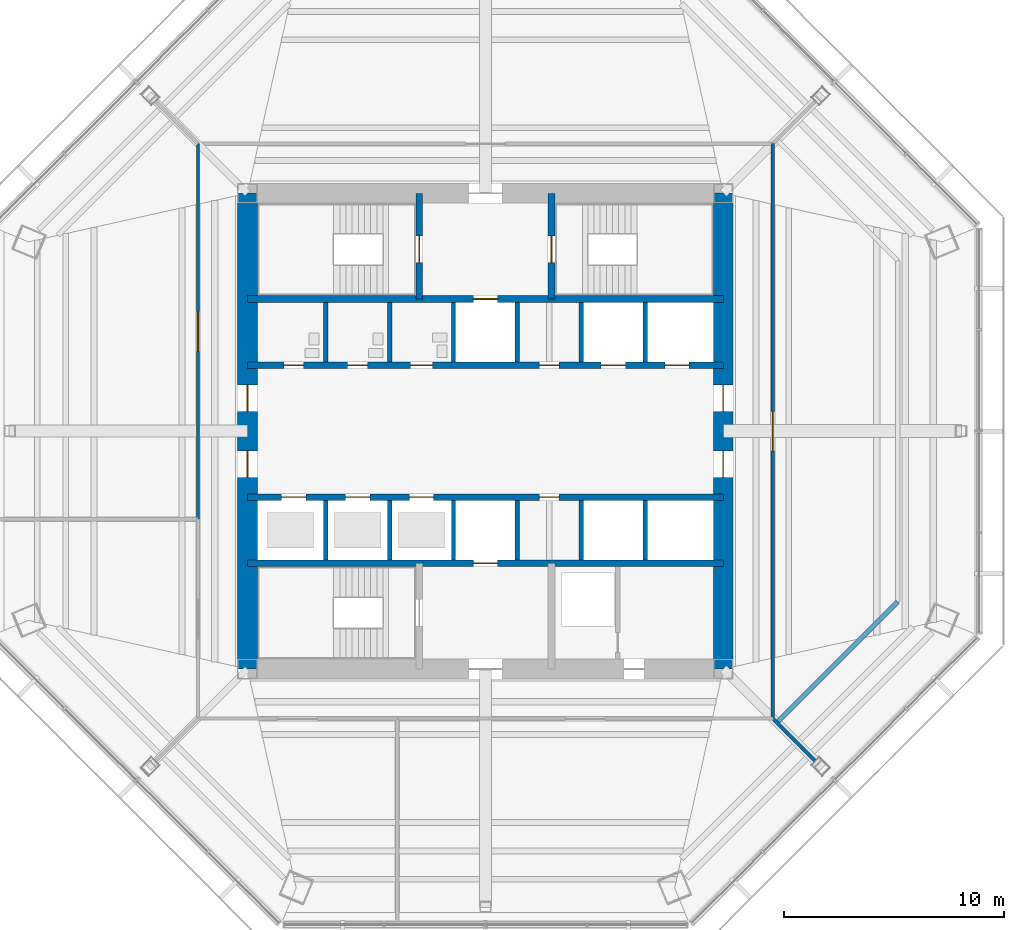
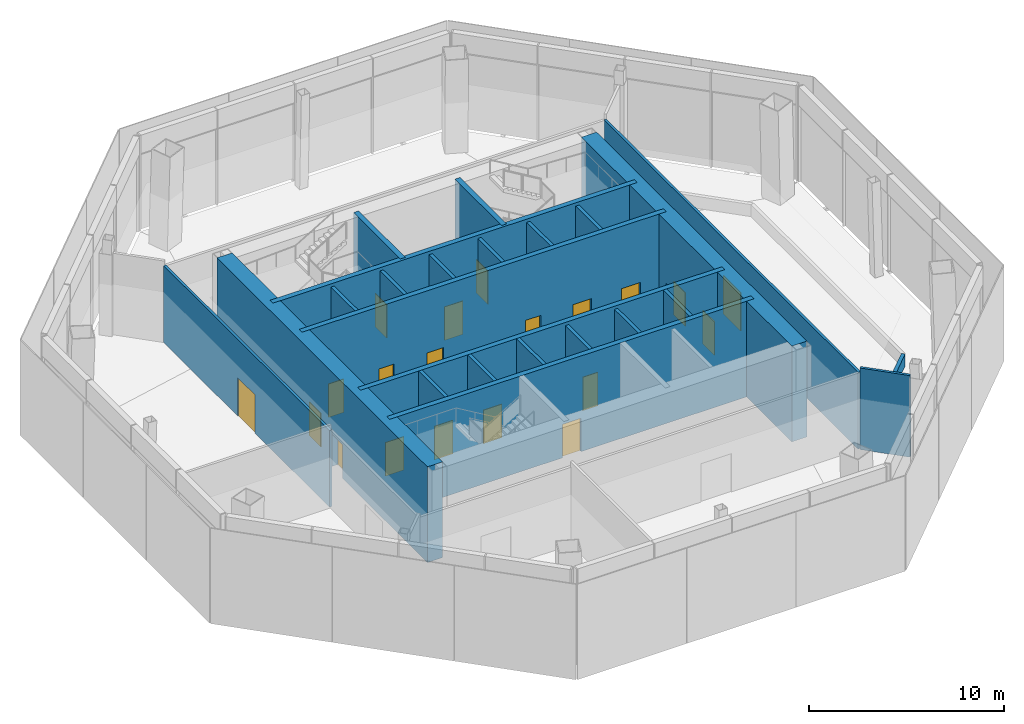
# One storey, part 7 of 13: 24 walls, 20 doors, 20 openings.
"""IFC4 building model written with IfcOpenShell, lengths in metres."""

from ifc_helpers import new_model, si_unit, direction, frame, frame_2d, origin, place, context, subcontext, project, spatial, rectangle, extrude, material, layer, layer_set, type_object, element, fill, save


model = new_model("IFC4")

# Units and contexts
model_context = context("Model", 3, precision=1e-05, world=origin(), true_north=direction((0.0, 1.0)))
body_context = subcontext(model_context, "Body", "Model", "MODEL_VIEW")
ifc_project = project(units=[si_unit("LENGTHUNIT", "METRE"), si_unit("AREAUNIT", "SQUARE_METRE"), si_unit("VOLUMEUNIT", "CUBIC_METRE"), si_unit("PLANEANGLEUNIT", "RADIAN"), si_unit("MASSUNIT", "GRAM", prefix="KILO")], contexts=[model_context])

# Site, building, storey
site_placement = place(None, origin())
site = spatial("IfcSite", under=ifc_project, at=site_placement, CompositionType="ELEMENT")
building_placement = place(site_placement, origin())
building = spatial("IfcBuilding", under=site, at=building_placement, Name="Mashrafa Tower", CompositionType="ELEMENT")
storey_placement = place(building_placement, frame((0.0, 0.0, 198.0)))
storey = spatial("IfcBuildingStorey", under=building, at=storey_placement, Name="L45", CompositionType="ELEMENT", Elevation=198.0)

# Wall, openings, doors
ifc_material_1 = material(Name="Concrete C50/60", Category="concrete")
ifc_layer_1 = layer(ifc_material_1, 0.300048828125)
ifc_layer_set_1 = layer_set([ifc_layer_1], Name="Core wall 300 C50/60")
wall_type_1 = type_object("IfcWallType", Name="Core wall 300 C50/60", PredefinedType="SOLIDWALL", material=ifc_layer_set_1)
wall_1_placement = place(storey_placement, frame((-10.800048828125, 3.0, 0.0), z_axis=(0.0, 0.0, 1.0), x_axis=(1.0, 0.0, 0.0)))
wall_1 = element("IfcWall", 1, at=wall_1_placement, inside=storey, type_object=wall_type_1, Name="Core wall CH-N L45", PredefinedType="SOLIDWALL", context=body_context, shape_type="SweptSolid", body=[
    extrude(rectangle(XDim=21.60009765625, YDim=0.300048828125, at=frame_2d((10.800048828125, 0.0))), origin(), (0.0, 0.0, 1.0), 6.0),
])
opening_1_placement = place(wall_1_placement, frame((1.64990234375, 0.0, 0.0)))
opening_1 = element("IfcOpeningElement", 2, at=opening_1_placement, cuts=wall_1, Name="Opening 45.018", PredefinedType="OPENING", context=body_context, shape_type="SweptSolid", body=[
    extrude(rectangle(XDim=0.89990234375, YDim=2.10009765625, at=frame_2d((0.449951171875, 1.050048828125))), frame((0.0, 0.159912109375, 0.0), z_axis=(0.0, -1.0, 0.0), x_axis=(1.0, 0.0, 0.0)), (0.0, 0.0, 1.0), 0.320068359375),
])
opening_2_placement = place(wall_1_placement, frame((4.550048828125, 0.0, 0.0)))
opening_2 = element("IfcOpeningElement", 3, at=opening_2_placement, cuts=wall_1, Name="Opening 45.019", PredefinedType="OPENING", context=body_context, shape_type="SweptSolid", body=[
    extrude(rectangle(XDim=0.89990234375, YDim=2.10009765625, at=frame_2d((0.449951171875, 1.050048828125))), frame((0.0, 0.159912109375, 0.0), z_axis=(0.0, -1.0, 0.0), x_axis=(1.0, 0.0, 0.0)), (0.0, 0.0, 1.0), 0.320068359375),
])
opening_3_placement = place(wall_1_placement, frame((7.39990234375, 0.0, 0.0)))
opening_3 = element("IfcOpeningElement", 4, at=opening_3_placement, cuts=wall_1, Name="Opening 45.020", PredefinedType="OPENING", context=body_context, shape_type="SweptSolid", body=[
    extrude(rectangle(XDim=1.0, YDim=2.10009765625, at=frame_2d((0.5, 1.050048828125))), frame((0.0, 0.159912109375, 0.0), z_axis=(0.0, -1.0, 0.0), x_axis=(1.0, 0.0, 0.0)), (0.0, 0.0, 1.0), 0.320068359375),
])
opening_4_placement = place(wall_1_placement, frame((13.25, 0.0, 0.0)))
opening_4 = element("IfcOpeningElement", 5, at=opening_4_placement, cuts=wall_1, Name="Opening 45.021", PredefinedType="OPENING", context=body_context, shape_type="SweptSolid", body=[
    extrude(rectangle(XDim=0.89990234375, YDim=2.10009765625, at=frame_2d((0.449951171875, 1.050048828125))), frame((0.0, 0.159912109375, 0.0), z_axis=(0.0, -1.0, 0.0), x_axis=(1.0, 0.0, 0.0)), (0.0, 0.0, 1.0), 0.320068359375),
])
opening_5_placement = place(wall_1_placement, frame((16.050048828125, 0.0, 0.0)))
opening_5 = element("IfcOpeningElement", 6, at=opening_5_placement, cuts=wall_1, Name="Opening 45.K1", PredefinedType="OPENING", context=body_context, shape_type="SweptSolid", body=[
    extrude(rectangle(XDim=1.10009765625, YDim=2.10009765625, at=frame_2d((0.550048828125, 1.050048828125))), frame((0.0, 0.159912109375, 0.0), z_axis=(0.0, -1.0, 0.0), x_axis=(1.0, 0.0, 0.0)), (0.0, 0.0, 1.0), 0.320068359375),
])
opening_6_placement = place(wall_1_placement, frame((18.949951171875, 0.0, 0.0)))
opening_6 = element("IfcOpeningElement", 7, at=opening_6_placement, cuts=wall_1, Name="Opening 45.K2", PredefinedType="OPENING", context=body_context, shape_type="SweptSolid", body=[
    extrude(rectangle(XDim=1.10009765625, YDim=2.10009765625, at=frame_2d((0.550048828125, 1.050048828125))), frame((0.0, 0.159912109375, 0.0), z_axis=(0.0, -1.0, 0.0), x_axis=(1.0, 0.0, 0.0)), (0.0, 0.0, 1.0), 0.320068359375),
])
ifc_material_2 = material(Name="Timber door", Category="wood")
door_type_1 = type_object("IfcDoorType", Name="Accessible toilet door 1000 x 2100", OperationType="USERDEFINED", PredefinedType="DOOR", material=ifc_material_2)
door_1_placement = place(opening_3_placement, origin())
door_1 = element("IfcDoor", 8, at=door_1_placement, inside=storey, type_object=door_type_1, Name="Accessible WC L45 door", OperationType="SINGLE_SWING_LEFT", OverallHeight=2.10009765625, OverallWidth=1.0, PredefinedType="DOOR", context=body_context, shape_type="SweptSolid", body=[
    extrude(rectangle(XDim=1.0, YDim=2.10009765625, at=frame_2d((0.5, 1.050048828125))), frame((0.0, 0.02490234375, 0.0), z_axis=(0.0, -1.0, 0.0), x_axis=(1.0, 0.0, 0.0)), (0.0, 0.0, 1.0), 0.050048828125),
])
fill(opening_3, door_1)
ifc_material_3 = material(Name="Steel door", Category="steel")
door_type_2 = type_object("IfcDoorType", Name="Lift landing door 1100 x 2100 90 min", OperationType="DOUBLE_DOOR_SLIDING", PredefinedType="DOOR", material=ifc_material_3)
door_2_placement = place(opening_5_placement, origin())
door_2 = element("IfcDoor", 9, at=door_2_placement, inside=storey, type_object=door_type_2, Name="Lift landing door K1 L45", OperationType="DOUBLE_DOOR_SLIDING", OverallHeight=2.10009765625, OverallWidth=1.10009765625, PredefinedType="DOOR", context=body_context, shape_type="SweptSolid", body=[
    extrude(rectangle(XDim=1.10009765625, YDim=2.10009765625, at=frame_2d((0.550048828125, 1.050048828125))), frame((0.0, 0.02490234375, 0.0), z_axis=(0.0, -1.0, 0.0), x_axis=(1.0, 0.0, 0.0)), (0.0, 0.0, 1.0), 0.050048828125),
])
fill(opening_5, door_2)
door_3_placement = place(opening_6_placement, origin())
door_3 = element("IfcDoor", 10, at=door_3_placement, inside=storey, type_object=door_type_2, Name="Lift landing door K2 L45", OperationType="DOUBLE_DOOR_SLIDING", OverallHeight=2.10009765625, OverallWidth=1.10009765625, PredefinedType="DOOR", context=body_context, shape_type="SweptSolid", body=[
    extrude(rectangle(XDim=1.10009765625, YDim=2.10009765625, at=frame_2d((0.550048828125, 1.050048828125))), frame((0.0, 0.02490234375, 0.0), z_axis=(0.0, -1.0, 0.0), x_axis=(1.0, 0.0, 0.0)), (0.0, 0.0, 1.0), 0.050048828125),
])
fill(opening_6, door_3)
ifc_material_4 = material(Name="Timber door", Category="wood")
door_type_3 = type_object("IfcDoorType", Name="Store door 900 x 2100", OperationType="USERDEFINED", PredefinedType="DOOR", material=ifc_material_4)
door_4_placement = place(opening_4_placement, origin())
door_4 = element("IfcDoor", 11, at=door_4_placement, inside=storey, type_object=door_type_3, Name="Cleaner's Store L45 door", OperationType="SINGLE_SWING_LEFT", OverallHeight=2.10009765625, OverallWidth=0.89990234375, PredefinedType="DOOR", context=body_context, shape_type="SweptSolid", body=[
    extrude(rectangle(XDim=0.89990234375, YDim=2.10009765625, at=frame_2d((0.449951171875, 1.050048828125))), frame((0.0, 0.02490234375, 0.0), z_axis=(0.0, -1.0, 0.0), x_axis=(1.0, 0.0, 0.0)), (0.0, 0.0, 1.0), 0.050048828125),
])
fill(opening_4, door_4)
ifc_material_5 = material(Name="Timber door", Category="wood")
door_type_4 = type_object("IfcDoorType", Name="Toilet door 900 x 2100", OperationType="USERDEFINED", PredefinedType="DOOR", material=ifc_material_5)
door_5_placement = place(opening_1_placement, origin())
door_5 = element("IfcDoor", 12, at=door_5_placement, inside=storey, type_object=door_type_4, Name="WC Male L45 door", OperationType="SINGLE_SWING_RIGHT", OverallHeight=2.10009765625, OverallWidth=0.89990234375, PredefinedType="DOOR", context=body_context, shape_type="SweptSolid", body=[
    extrude(rectangle(XDim=0.89990234375, YDim=2.10009765625, at=frame_2d((0.449951171875, 1.050048828125))), frame((0.0, 0.02490234375, 0.0), z_axis=(0.0, -1.0, 0.0), x_axis=(1.0, 0.0, 0.0)), (0.0, 0.0, 1.0), 0.050048828125),
])
fill(opening_1, door_5)
door_6_placement = place(opening_2_placement, origin())
door_6 = element("IfcDoor", 13, at=door_6_placement, inside=storey, type_object=door_type_4, Name="WC Female L45 door", OperationType="SINGLE_SWING_LEFT", OverallHeight=2.10009765625, OverallWidth=0.89990234375, PredefinedType="DOOR", context=body_context, shape_type="SweptSolid", body=[
    extrude(rectangle(XDim=0.89990234375, YDim=2.10009765625, at=frame_2d((0.449951171875, 1.050048828125))), frame((0.0, 0.02490234375, 0.0), z_axis=(0.0, -1.0, 0.0), x_axis=(1.0, 0.0, 0.0)), (0.0, 0.0, 1.0), 0.050048828125),
])
fill(opening_2, door_6)

# Wall, opening, door
wall_2_placement = place(storey_placement, frame((-10.800048828125, 6.0, 0.0), z_axis=(0.0, 0.0, 1.0), x_axis=(1.0, 0.0, 0.0)))
wall_2 = element("IfcWall", 14, at=wall_2_placement, inside=storey, type_object=wall_type_1, Name="Core wall CB-N L45", PredefinedType="SOLIDWALL", context=body_context, shape_type="SweptSolid", body=[
    extrude(rectangle(XDim=21.60009765625, YDim=0.300048828125, at=frame_2d((10.800048828125, 0.0))), origin(), (0.0, 0.0, 1.0), 6.0),
])
opening_7_placement = place(wall_2_placement, frame((10.25, 0.0, 0.0)))
opening_7 = element("IfcOpeningElement", 15, at=opening_7_placement, cuts=wall_2, Name="Opening 45.F1", PredefinedType="OPENING", context=body_context, shape_type="SweptSolid", body=[
    extrude(rectangle(XDim=1.10009765625, YDim=2.10009765625, at=frame_2d((0.550048828125, 1.050048828125))), frame((0.0, 0.159912109375, 0.0), z_axis=(0.0, -1.0, 0.0), x_axis=(1.0, 0.0, 0.0)), (0.0, 0.0, 1.0), 0.320068359375),
])
door_7_placement = place(opening_7_placement, origin())
door_7 = element("IfcDoor", 16, at=door_7_placement, inside=storey, type_object=door_type_2, Name="Lift landing door F1 L45", OperationType="DOUBLE_DOOR_SLIDING", OverallHeight=2.10009765625, OverallWidth=1.10009765625, PredefinedType="DOOR", context=body_context, shape_type="SweptSolid", body=[
    extrude(rectangle(XDim=1.10009765625, YDim=2.10009765625, at=frame_2d((0.550048828125, 1.050048828125))), frame((0.0, 0.02490234375, 0.0), z_axis=(0.0, -1.0, 0.0), x_axis=(1.0, 0.0, 0.0)), (0.0, 0.0, 1.0), 0.050048828125),
])
fill(opening_7, door_7)

wall_3_placement = place(storey_placement, frame((-3.0, 6.0, 0.0), z_axis=(0.0, 0.0, 1.0), x_axis=(0.0, 1.0, 0.0)))
wall_3 = element("IfcWall", 17, at=wall_3_placement, inside=storey, type_object=wall_type_1, Name="Core wall CX-NW L45", PredefinedType="SOLIDWALL", context=body_context, shape_type="SweptSolid", body=[
    extrude(rectangle(XDim=4.800048828125, YDim=0.300048828125, at=frame_2d((2.39990234375, 0.0))), origin(), (0.0, 0.0, 1.0), 6.0),
])
opening_8_placement = place(wall_3_placement, frame((1.64990234375, 0.0, 0.0)))
opening_8 = element("IfcOpeningElement", 18, at=opening_8_placement, cuts=wall_3, Name="Opening 45.013", PredefinedType="OPENING", context=body_context, shape_type="SweptSolid", body=[
    extrude(rectangle(XDim=1.199951171875, YDim=2.10009765625, at=frame_2d((0.60009765625, 1.050048828125))), frame((0.0, 0.159912109375, 0.0), z_axis=(0.0, -1.0, 0.0), x_axis=(1.0, 0.0, 0.0)), (0.0, 0.0, 1.0), 0.320068359375),
])
ifc_material_6 = material(Name="Steel door", Category="steel")
door_type_5 = type_object("IfcDoorType", Name="Stair door 1200 x 2100 90 min", OperationType="USERDEFINED", PredefinedType="DOOR", material=ifc_material_6)
door_8_placement = place(opening_8_placement, origin())
door_8 = element("IfcDoor", 19, at=door_8_placement, inside=storey, type_object=door_type_5, Name="Stair S1 door L45", OperationType="SINGLE_SWING_LEFT", OverallHeight=2.10009765625, OverallWidth=1.199951171875, PredefinedType="DOOR", context=body_context, shape_type="SweptSolid", body=[
    extrude(rectangle(XDim=1.199951171875, YDim=2.10009765625, at=frame_2d((0.60009765625, 1.050048828125))), frame((0.0, 0.02490234375, 0.0), z_axis=(0.0, -1.0, 0.0), x_axis=(1.0, 0.0, 0.0)), (0.0, 0.0, 1.0), 0.050048828125),
])
fill(opening_8, door_8)

wall_4_placement = place(storey_placement, frame((3.0, 6.0, 0.0), z_axis=(0.0, 0.0, 1.0), x_axis=(0.0, 1.0, 0.0)))
wall_4 = element("IfcWall", 20, at=wall_4_placement, inside=storey, type_object=wall_type_1, Name="Core wall CX-NE L45", PredefinedType="SOLIDWALL", context=body_context, shape_type="SweptSolid", body=[
    extrude(rectangle(XDim=4.800048828125, YDim=0.300048828125, at=frame_2d((2.39990234375, 0.0))), origin(), (0.0, 0.0, 1.0), 6.0),
])
opening_9_placement = place(wall_4_placement, frame((1.64990234375, 0.0, 0.0)))
opening_9 = element("IfcOpeningElement", 21, at=opening_9_placement, cuts=wall_4, Name="Opening 45.014", PredefinedType="OPENING", context=body_context, shape_type="SweptSolid", body=[
    extrude(rectangle(XDim=1.199951171875, YDim=2.10009765625, at=frame_2d((0.60009765625, 1.050048828125))), frame((0.0, 0.159912109375, 0.0), z_axis=(0.0, -1.0, 0.0), x_axis=(1.0, 0.0, 0.0)), (0.0, 0.0, 1.0), 0.320068359375),
])
door_9_placement = place(opening_9_placement, frame((1.199951171875, 0.0, 0.0), z_axis=(0.0, 0.0, 1.0), x_axis=(-1.0, 0.0, 0.0)))
door_9 = element("IfcDoor", 22, at=door_9_placement, inside=storey, type_object=door_type_5, Name="Stair S2 door L45", OperationType="SINGLE_SWING_RIGHT", OverallHeight=2.10009765625, OverallWidth=1.199951171875, PredefinedType="DOOR", context=body_context, shape_type="SweptSolid", body=[
    extrude(rectangle(XDim=1.199951171875, YDim=2.10009765625, at=frame_2d((0.60009765625, 1.050048828125))), frame((0.0, 0.02490234375, 0.0), z_axis=(0.0, -1.0, 0.0), x_axis=(1.0, 0.0, 0.0)), (0.0, 0.0, 1.0), 0.050048828125),
])
fill(opening_9, door_9)

# Wall, openings, doors
wall_5_placement = place(storey_placement, frame((-10.800048828125, -3.0, 0.0), z_axis=(0.0, 0.0, 1.0), x_axis=(1.0, 0.0, 0.0)))
wall_5 = element("IfcWall", 23, at=wall_5_placement, inside=storey, type_object=wall_type_1, Name="Core wall CH-S L45", PredefinedType="SOLIDWALL", context=body_context, shape_type="SweptSolid", body=[
    extrude(rectangle(XDim=21.60009765625, YDim=0.300048828125, at=frame_2d((10.800048828125, 0.0))), origin(), (0.0, 0.0, 1.0), 6.0),
])
opening_10_placement = place(wall_5_placement, frame((13.25, 0.0, 0.0)))
opening_10 = element("IfcOpeningElement", 24, at=opening_10_placement, cuts=wall_5, Name="Opening 45.022", PredefinedType="OPENING", context=body_context, shape_type="SweptSolid", body=[
    extrude(rectangle(XDim=0.89990234375, YDim=2.10009765625, at=frame_2d((0.449951171875, 1.050048828125))), frame((0.0, 0.159912109375, 0.0), z_axis=(0.0, -1.0, 0.0), x_axis=(1.0, 0.0, 0.0)), (0.0, 0.0, 1.0), 0.320068359375),
])
opening_11_placement = place(wall_5_placement, frame((1.550048828125, 0.0, 0.0)))
opening_11 = element("IfcOpeningElement", 25, at=opening_11_placement, cuts=wall_5, Name="Opening 45.AL1", PredefinedType="OPENING", context=body_context, shape_type="SweptSolid", body=[
    extrude(rectangle(XDim=1.10009765625, YDim=2.10009765625, at=frame_2d((0.550048828125, 1.050048828125))), frame((0.0, 0.159912109375, 0.0), z_axis=(0.0, -1.0, 0.0), x_axis=(1.0, 0.0, 0.0)), (0.0, 0.0, 1.0), 0.320068359375),
])
opening_12_placement = place(wall_5_placement, frame((4.449951171875, 0.0, 0.0)))
opening_12 = element("IfcOpeningElement", 26, at=opening_12_placement, cuts=wall_5, Name="Opening 45.AL2", PredefinedType="OPENING", context=body_context, shape_type="SweptSolid", body=[
    extrude(rectangle(XDim=1.10009765625, YDim=2.10009765625, at=frame_2d((0.550048828125, 1.050048828125))), frame((0.0, 0.159912109375, 0.0), z_axis=(0.0, -1.0, 0.0), x_axis=(1.0, 0.0, 0.0)), (0.0, 0.0, 1.0), 0.320068359375),
])
opening_13_placement = place(wall_5_placement, frame((7.35009765625, 0.0, 0.0)))
opening_13 = element("IfcOpeningElement", 27, at=opening_13_placement, cuts=wall_5, Name="Opening 45.AL3", PredefinedType="OPENING", context=body_context, shape_type="SweptSolid", body=[
    extrude(rectangle(XDim=1.10009765625, YDim=2.10009765625, at=frame_2d((0.550048828125, 1.050048828125))), frame((0.0, 0.159912109375, 0.0), z_axis=(0.0, -1.0, 0.0), x_axis=(1.0, 0.0, 0.0)), (0.0, 0.0, 1.0), 0.320068359375),
])
door_10_placement = place(opening_11_placement, origin())
door_10 = element("IfcDoor", 28, at=door_10_placement, inside=storey, type_object=door_type_2, Name="Lift landing door AL1 L45", OperationType="DOUBLE_DOOR_SLIDING", OverallHeight=2.10009765625, OverallWidth=1.10009765625, PredefinedType="DOOR", context=body_context, shape_type="SweptSolid", body=[
    extrude(rectangle(XDim=1.10009765625, YDim=2.10009765625, at=frame_2d((0.550048828125, 1.050048828125))), frame((0.0, 0.02490234375, 0.0), z_axis=(0.0, -1.0, 0.0), x_axis=(1.0, 0.0, 0.0)), (0.0, 0.0, 1.0), 0.050048828125),
])
fill(opening_11, door_10)
door_11_placement = place(opening_12_placement, origin())
door_11 = element("IfcDoor", 29, at=door_11_placement, inside=storey, type_object=door_type_2, Name="Lift landing door AL2 L45", OperationType="DOUBLE_DOOR_SLIDING", OverallHeight=2.10009765625, OverallWidth=1.10009765625, PredefinedType="DOOR", context=body_context, shape_type="SweptSolid", body=[
    extrude(rectangle(XDim=1.10009765625, YDim=2.10009765625, at=frame_2d((0.550048828125, 1.050048828125))), frame((0.0, 0.02490234375, 0.0), z_axis=(0.0, -1.0, 0.0), x_axis=(1.0, 0.0, 0.0)), (0.0, 0.0, 1.0), 0.050048828125),
])
fill(opening_12, door_11)
door_12_placement = place(opening_13_placement, origin())
door_12 = element("IfcDoor", 30, at=door_12_placement, inside=storey, type_object=door_type_2, Name="Lift landing door AL3 L45", OperationType="DOUBLE_DOOR_SLIDING", OverallHeight=2.10009765625, OverallWidth=1.10009765625, PredefinedType="DOOR", context=body_context, shape_type="SweptSolid", body=[
    extrude(rectangle(XDim=1.10009765625, YDim=2.10009765625, at=frame_2d((0.550048828125, 1.050048828125))), frame((0.0, 0.02490234375, 0.0), z_axis=(0.0, -1.0, 0.0), x_axis=(1.0, 0.0, 0.0)), (0.0, 0.0, 1.0), 0.050048828125),
])
fill(opening_13, door_12)
door_13_placement = place(opening_10_placement, frame((0.89990234375, 0.0, 0.0), z_axis=(0.0, 0.0, 1.0), x_axis=(-1.0, 0.0, 0.0)))
door_13 = element("IfcDoor", 31, at=door_13_placement, inside=storey, type_object=door_type_3, Name="Services Store L45-B4 door", OperationType="SINGLE_SWING_RIGHT", OverallHeight=2.10009765625, OverallWidth=0.89990234375, PredefinedType="DOOR", context=body_context, shape_type="SweptSolid", body=[
    extrude(rectangle(XDim=0.89990234375, YDim=2.10009765625, at=frame_2d((0.449951171875, 1.050048828125))), frame((0.0, 0.02490234375, 0.0), z_axis=(0.0, -1.0, 0.0), x_axis=(1.0, 0.0, 0.0)), (0.0, 0.0, 1.0), 0.050048828125),
])
fill(opening_10, door_13)

# Wall, opening, door
wall_6_placement = place(storey_placement, frame((-10.800048828125, -6.0, 0.0), z_axis=(0.0, 0.0, 1.0), x_axis=(1.0, 0.0, 0.0)))
wall_6 = element("IfcWall", 32, at=wall_6_placement, inside=storey, type_object=wall_type_1, Name="Core wall CB-S L45", PredefinedType="SOLIDWALL", context=body_context, shape_type="SweptSolid", body=[
    extrude(rectangle(XDim=21.60009765625, YDim=0.300048828125, at=frame_2d((10.800048828125, 0.0))), origin(), (0.0, 0.0, 1.0), 6.0),
])
opening_14_placement = place(wall_6_placement, frame((10.25, 0.0, 0.0)))
opening_14 = element("IfcOpeningElement", 33, at=opening_14_placement, cuts=wall_6, Name="Opening 45.F2", PredefinedType="OPENING", context=body_context, shape_type="SweptSolid", body=[
    extrude(rectangle(XDim=1.10009765625, YDim=2.10009765625, at=frame_2d((0.550048828125, 1.050048828125))), frame((0.0, 0.159912109375, 0.0), z_axis=(0.0, -1.0, 0.0), x_axis=(1.0, 0.0, 0.0)), (0.0, 0.0, 1.0), 0.320068359375),
])
door_14_placement = place(opening_14_placement, origin())
door_14 = element("IfcDoor", 34, at=door_14_placement, inside=storey, type_object=door_type_2, Name="Lift landing door F2 L45", OperationType="DOUBLE_DOOR_SLIDING", OverallHeight=2.10009765625, OverallWidth=1.10009765625, PredefinedType="DOOR", context=body_context, shape_type="SweptSolid", body=[
    extrude(rectangle(XDim=1.10009765625, YDim=2.10009765625, at=frame_2d((0.550048828125, 1.050048828125))), frame((0.0, 0.02490234375, 0.0), z_axis=(0.0, -1.0, 0.0), x_axis=(1.0, 0.0, 0.0)), (0.0, 0.0, 1.0), 0.050048828125),
])
fill(opening_14, door_14)

# Wall, openings, doors
ifc_material_7 = material(Name="Concrete C50/60", Category="concrete")
ifc_layer_2 = layer(ifc_material_7, 0.89990234375)
ifc_layer_set_2 = layer_set([ifc_layer_2], Name="Core wall 900 C50/60")
wall_type_2 = type_object("IfcWallType", Name="Core wall 900 C50/60", PredefinedType="SOLIDWALL", material=ifc_layer_set_2)
wall_7_placement = place(storey_placement, frame((10.800048828125, -10.800048828125, 0.0), z_axis=(0.0, 0.0, 1.0), x_axis=(0.0, 1.0, 0.0)))
wall_7 = element("IfcWall", 35, at=wall_7_placement, inside=storey, type_object=wall_type_2, Name="Core wall CW-E L45", PredefinedType="SOLIDWALL", context=body_context, shape_type="SweptSolid", body=[
    extrude(rectangle(XDim=21.60009765625, YDim=0.89990234375, at=frame_2d((10.800048828125, 0.0))), origin(), (0.0, 0.0, 1.0), 6.0),
])
opening_15_placement = place(wall_7_placement, frame((11.699951171875, 0.0, 0.0)))
opening_15 = element("IfcOpeningElement", 36, at=opening_15_placement, cuts=wall_7, Name="Opening 45.007", PredefinedType="OPENING", context=body_context, shape_type="SweptSolid", body=[
    extrude(rectangle(XDim=1.199951171875, YDim=2.10009765625, at=frame_2d((0.60009765625, 1.050048828125))), frame((0.0, 0.4599609375, 0.0), z_axis=(0.0, -1.0, 0.0), x_axis=(1.0, 0.0, 0.0)), (0.0, 0.0, 1.0), 0.919921875),
])
opening_16_placement = place(wall_7_placement, frame((8.699951171875, 0.0, 0.0)))
opening_16 = element("IfcOpeningElement", 37, at=opening_16_placement, cuts=wall_7, Name="Opening 45.009", PredefinedType="OPENING", context=body_context, shape_type="SweptSolid", body=[
    extrude(rectangle(XDim=1.199951171875, YDim=2.10009765625, at=frame_2d((0.60009765625, 1.050048828125))), frame((0.0, 0.4599609375, 0.0), z_axis=(0.0, -1.0, 0.0), x_axis=(1.0, 0.0, 0.0)), (0.0, 0.0, 1.0), 0.919921875),
])
ifc_material_8 = material(Name="Steel door", Category="steel")
door_type_6 = type_object("IfcDoorType", Name="Lift hall door 1200 x 2100 90 min", OperationType="USERDEFINED", PredefinedType="DOOR", material=ifc_material_8)
door_15_placement = place(opening_15_placement, frame((1.199951171875, 0.0, 0.0), z_axis=(0.0, 0.0, 1.0), x_axis=(-1.0, 0.0, 0.0)))
door_15 = element("IfcDoor", 38, at=door_15_placement, inside=storey, type_object=door_type_6, Name="Lift hall door east L45", OperationType="SINGLE_SWING_LEFT", OverallHeight=2.10009765625, OverallWidth=1.199951171875, PredefinedType="DOOR", context=body_context, shape_type="SweptSolid", body=[
    extrude(rectangle(XDim=1.199951171875, YDim=2.10009765625, at=frame_2d((0.60009765625, 1.050048828125))), frame((0.0, 0.02490234375, 0.0), z_axis=(0.0, -1.0, 0.0), x_axis=(1.0, 0.0, 0.0)), (0.0, 0.0, 1.0), 0.050048828125),
])
fill(opening_15, door_15)
door_16_placement = place(opening_16_placement, frame((1.199951171875, 0.0, 0.0), z_axis=(0.0, 0.0, 1.0), x_axis=(-1.0, 0.0, 0.0)))
door_16 = element("IfcDoor", 39, at=door_16_placement, inside=storey, type_object=door_type_6, Name="Lift hall door east L45", OperationType="SINGLE_SWING_RIGHT", OverallHeight=2.10009765625, OverallWidth=1.199951171875, PredefinedType="DOOR", context=body_context, shape_type="SweptSolid", body=[
    extrude(rectangle(XDim=1.199951171875, YDim=2.10009765625, at=frame_2d((0.60009765625, 1.050048828125))), frame((0.0, 0.02490234375, 0.0), z_axis=(0.0, -1.0, 0.0), x_axis=(1.0, 0.0, 0.0)), (0.0, 0.0, 1.0), 0.050048828125),
])
fill(opening_16, door_16)

wall_8_placement = place(storey_placement, frame((-10.800048828125, 10.800048828125, 0.0), z_axis=(0.0, 0.0, 1.0), x_axis=(0.0, -1.0, 0.0)))
wall_8 = element("IfcWall", 40, at=wall_8_placement, inside=storey, type_object=wall_type_2, Name="Core wall CW-W L45", PredefinedType="SOLIDWALL", context=body_context, shape_type="SweptSolid", body=[
    extrude(rectangle(XDim=21.60009765625, YDim=0.89990234375, at=frame_2d((10.800048828125, 0.0))), origin(), (0.0, 0.0, 1.0), 6.0),
])
opening_17_placement = place(wall_8_placement, frame((8.699951171875, 0.0, 0.0)))
opening_17 = element("IfcOpeningElement", 41, at=opening_17_placement, cuts=wall_8, Name="Opening 45.008", PredefinedType="OPENING", context=body_context, shape_type="SweptSolid", body=[
    extrude(rectangle(XDim=1.199951171875, YDim=2.10009765625, at=frame_2d((0.60009765625, 1.050048828125))), frame((0.0, 0.4599609375, 0.0), z_axis=(0.0, -1.0, 0.0), x_axis=(1.0, 0.0, 0.0)), (0.0, 0.0, 1.0), 0.919921875),
])
opening_18_placement = place(wall_8_placement, frame((11.699951171875, 0.0, 0.0)))
opening_18 = element("IfcOpeningElement", 42, at=opening_18_placement, cuts=wall_8, Name="Opening 45.010", PredefinedType="OPENING", context=body_context, shape_type="SweptSolid", body=[
    extrude(rectangle(XDim=1.199951171875, YDim=2.10009765625, at=frame_2d((0.60009765625, 1.050048828125))), frame((0.0, 0.4599609375, 0.0), z_axis=(0.0, -1.0, 0.0), x_axis=(1.0, 0.0, 0.0)), (0.0, 0.0, 1.0), 0.919921875),
])
door_17_placement = place(opening_17_placement, frame((1.199951171875, 0.0, 0.0), z_axis=(0.0, 0.0, 1.0), x_axis=(-1.0, 0.0, 0.0)))
door_17 = element("IfcDoor", 43, at=door_17_placement, inside=storey, type_object=door_type_6, Name="Lift hall door west L45", OperationType="SINGLE_SWING_RIGHT", OverallHeight=2.10009765625, OverallWidth=1.199951171875, PredefinedType="DOOR", context=body_context, shape_type="SweptSolid", body=[
    extrude(rectangle(XDim=1.199951171875, YDim=2.10009765625, at=frame_2d((0.60009765625, 1.050048828125))), frame((0.0, 0.02490234375, 0.0), z_axis=(0.0, -1.0, 0.0), x_axis=(1.0, 0.0, 0.0)), (0.0, 0.0, 1.0), 0.050048828125),
])
fill(opening_17, door_17)
door_18_placement = place(opening_18_placement, frame((1.199951171875, 0.0, 0.0), z_axis=(0.0, 0.0, 1.0), x_axis=(-1.0, 0.0, 0.0)))
door_18 = element("IfcDoor", 44, at=door_18_placement, inside=storey, type_object=door_type_6, Name="Lift hall door west L45", OperationType="SINGLE_SWING_LEFT", OverallHeight=2.10009765625, OverallWidth=1.199951171875, PredefinedType="DOOR", context=body_context, shape_type="SweptSolid", body=[
    extrude(rectangle(XDim=1.199951171875, YDim=2.10009765625, at=frame_2d((0.60009765625, 1.050048828125))), frame((0.0, 0.02490234375, 0.0), z_axis=(0.0, -1.0, 0.0), x_axis=(1.0, 0.0, 0.0)), (0.0, 0.0, 1.0), 0.050048828125),
])
fill(opening_18, door_18)

# Wall, opening, door
ifc_material_9 = material(Name="Gypsum board on steel studs", Category="steel")
ifc_layer_3 = layer(ifc_material_9, 0.14990234375)
ifc_layer_set_3 = layer_set([ifc_layer_3], Name="Corridor partition 150 1 hr")
wall_type_3 = type_object("IfcWallType", Name="Corridor partition 150 1 hr", PredefinedType="PARTITIONING", material=ifc_layer_set_3)
wall_9_placement = place(storey_placement, frame((-13.050048828125, 13.050048828125, 0.0), z_axis=(0.0, 0.0, 1.0), x_axis=(0.0, -1.0, 0.0)))
wall_9 = element("IfcWall", 45, at=wall_9_placement, inside=storey, type_object=wall_type_3, Name="Corridor wall L45-004", PredefinedType="PARTITIONING", context=body_context, shape_type="SweptSolid", body=[
    extrude(rectangle(XDim=17.051025390625, YDim=0.14990234375, at=frame_2d((8.525390625, 0.0))), origin(), (0.0, 0.0, 1.0), 4.806884765625),
])
opening_19_placement = place(wall_9_placement, frame((7.62548828125, 0.0, 0.0)))
opening_19 = element("IfcOpeningElement", 46, at=opening_19_placement, cuts=wall_9, Name="Opening 45.004", PredefinedType="OPENING", context=body_context, shape_type="SweptSolid", body=[
    extrude(rectangle(XDim=1.800048828125, YDim=2.39990234375, at=frame_2d((0.89990234375, 1.199951171875))), frame((0.0, 0.0849609375, 0.0), z_axis=(0.0, -1.0, 0.0), x_axis=(1.0, 0.0, 0.0)), (0.0, 0.0, 1.0), 0.169921875),
])
ifc_material_10 = material(Name="Steel door", Category="steel")
door_type_7 = type_object("IfcDoorType", Name="Door pair 1800 x 2400 90 min", OperationType="DOUBLE_DOOR_SINGLE_SWING", PredefinedType="DOOR", material=ifc_material_10)
door_19_placement = place(opening_19_placement, frame((1.800048828125, 0.0, 0.0), z_axis=(0.0, 0.0, 1.0), x_axis=(-1.0, 0.0, 0.0)))
door_19 = element("IfcDoor", 47, at=door_19_placement, inside=storey, type_object=door_type_7, Name="Residents' Fitness Room L45 door", OperationType="DOUBLE_DOOR_SINGLE_SWING", OverallHeight=2.39990234375, OverallWidth=1.800048828125, PredefinedType="DOOR", context=body_context, shape_type="SweptSolid", body=[
    extrude(rectangle(XDim=1.800048828125, YDim=2.39990234375, at=frame_2d((0.89990234375, 1.199951171875))), frame((0.0, 0.02490234375, 0.0), z_axis=(0.0, -1.0, 0.0), x_axis=(1.0, 0.0, 0.0)), (0.0, 0.0, 1.0), 0.050048828125),
])
fill(opening_19, door_19)

wall_10_placement = place(storey_placement, frame((13.050048828125, -13.050048828125, 0.0), z_axis=(0.0, 0.0, 1.0), x_axis=(0.0, 1.0, 0.0)))
wall_10 = element("IfcWall", 48, at=wall_10_placement, inside=storey, type_object=wall_type_3, Name="Corridor wall L45-006", PredefinedType="PARTITIONING", context=body_context, shape_type="SweptSolid", body=[
    extrude(rectangle(XDim=26.10009765625, YDim=0.14990234375, at=frame_2d((13.050048828125, 0.0))), origin(), (0.0, 0.0, 1.0), 4.806884765625),
])
opening_20_placement = place(wall_10_placement, frame((12.14990234375, 0.0, 0.0)))
opening_20 = element("IfcOpeningElement", 49, at=opening_20_placement, cuts=wall_10, Name="Opening 45.006", PredefinedType="OPENING", context=body_context, shape_type="SweptSolid", body=[
    extrude(rectangle(XDim=1.800048828125, YDim=2.39990234375, at=frame_2d((0.89990234375, 1.199951171875))), frame((0.0, 0.0849609375, 0.0), z_axis=(0.0, -1.0, 0.0), x_axis=(1.0, 0.0, 0.0)), (0.0, 0.0, 1.0), 0.169921875),
])
door_20_placement = place(opening_20_placement, origin())
door_20 = element("IfcDoor", 50, at=door_20_placement, inside=storey, type_object=door_type_7, Name="Sky Garden East L45 door", OperationType="DOUBLE_DOOR_SINGLE_SWING", OverallHeight=2.39990234375, OverallWidth=1.800048828125, PredefinedType="DOOR", context=body_context, shape_type="SweptSolid", body=[
    extrude(rectangle(XDim=1.800048828125, YDim=2.39990234375, at=frame_2d((0.89990234375, 1.199951171875))), frame((0.0, 0.02490234375, 0.0), z_axis=(0.0, -1.0, 0.0), x_axis=(1.0, 0.0, 0.0)), (0.0, 0.0, 1.0), 0.050048828125),
])
fill(opening_20, door_20)

# Walls
ifc_material_11 = material(Name="Gypsum board on steel studs", Category="steel")
ifc_layer_4 = layer(ifc_material_11, 0.14990234375)
ifc_layer_set_4 = layer_set([ifc_layer_4], Name="Partition 150")
wall_type_4 = type_object("IfcWallType", Name="Partition 150", PredefinedType="PARTITIONING", material=ifc_layer_set_4)
wall_11_placement = place(storey_placement, frame((14.972900390625, -14.972900390625, 0.0), z_axis=(0.0, 0.0, 1.0), x_axis=(-0.707106781187, 0.707106781187, 0.0)))
element("IfcWall", 51, at=wall_11_placement, inside=storey, type_object=wall_type_4, Name="Partition wall L45-009", PredefinedType="PARTITIONING", context=body_context, shape_type="SweptSolid", body=[
    extrude(rectangle(XDim=2.66650390625, YDim=0.14990234375, at=frame_2d((1.333251953125, 0.0))), origin(), (0.0, 0.0, 1.0), 5.11181640625),
])
ifc_material_12 = material(Name="Concrete C32/40", Category="concrete")
ifc_layer_5 = layer(ifc_material_12, 0.199951171875)
ifc_layer_set_5 = layer_set([ifc_layer_5], Name="Planter upstand wall 200")
wall_type_5 = type_object("IfcWallType", Name="Planter upstand wall 200", PredefinedType="SOLIDWALL", material=ifc_layer_set_5)
wall_12_placement = place(storey_placement, frame((18.713623046875, -7.75146484375, 0.0), z_axis=(0.0, 0.0, 1.0), x_axis=(-0.707122684986, -0.707090877029, 0.0)))
element("IfcWall", 52, at=wall_12_placement, inside=storey, type_object=wall_type_5, Name="Planter wall L45-017", PredefinedType="SOLIDWALL", context=body_context, shape_type="SweptSolid", body=[
    extrude(rectangle(XDim=7.675537109375, YDim=0.199951171875, at=frame_2d((3.837890625, 0.0))), origin(), (0.0, 0.0, 1.0), 0.75),
])
ifc_material_13 = material(Name="Gypsum shaft wall on steel studs", Category="steel")
ifc_layer_6 = layer(ifc_material_13, 0.199951171875)
ifc_layer_set_6 = layer_set([ifc_layer_6], Name="Shaft divider wall 200 2 hr")
wall_type_6 = type_object("IfcWallType", Name="Shaft divider wall 200 2 hr", PredefinedType="PARTITIONING", material=ifc_layer_set_6)
for number, where, z_axis, x_axis, name in (
    (53, (-7.25, 3.14990234375, 0.0), (0.0, 0.0, 1.0), (0.0, 1.0, 0.0), "Shaft divider wall N1 L45"),
    (54, (-4.35009765625, 3.14990234375, 0.0), (0.0, 0.0, 1.0), (0.0, 1.0, 0.0), "Shaft divider wall N2 L45"),
    (55, (-1.449951171875, 3.14990234375, 0.0), (0.0, 0.0, 1.0), (0.0, 1.0, 0.0), "Shaft divider wall N3 L45"),
    (56, (1.449951171875, 3.14990234375, 0.0), (0.0, 0.0, 1.0), (0.0, 1.0, 0.0), "Shaft divider wall N4 L45"),
    (57, (4.35009765625, 3.14990234375, 0.0), (0.0, 0.0, 1.0), (0.0, 1.0, 0.0), "Shaft divider wall N5 L45"),
    (58, (7.25, 3.14990234375, 0.0), (0.0, 0.0, 1.0), (0.0, 1.0, 0.0), "Shaft divider wall N6 L45"),
):
    element("IfcWall", number, at=place(storey_placement, frame(where, z_axis=z_axis, x_axis=x_axis)), inside=storey, type_object=wall_type_6, Name=name, PredefinedType="PARTITIONING", context=body_context, shape_type="SweptSolid", body=[
        extrude(rectangle(XDim=2.7001953125, YDim=0.199951171875, at=frame_2d((1.35009765625, 0.0))), origin(), (0.0, 0.0, 1.0), 5.800048828125),
    ])
for number, where, z_axis, x_axis, name in (
    (59, (-7.25, -5.85009765625, 0.0), (0.0, 0.0, 1.0), (0.0, 1.0, 0.0), "Shaft divider wall S1 L45"),
    (60, (-4.35009765625, -5.85009765625, 0.0), (0.0, 0.0, 1.0), (0.0, 1.0, 0.0), "Shaft divider wall S2 L45"),
    (61, (-1.449951171875, -5.85009765625, 0.0), (0.0, 0.0, 1.0), (0.0, 1.0, 0.0), "Shaft divider wall S3 L45"),
):
    element("IfcWall", number, at=place(storey_placement, frame(where, z_axis=z_axis, x_axis=x_axis)), inside=storey, type_object=wall_type_6, Name=name, PredefinedType="PARTITIONING", context=body_context, shape_type="SweptSolid", body=[
        extrude(rectangle(XDim=2.7001953125, YDim=0.199951171875, at=frame_2d((1.35009765625, 0.0))), origin(), (0.0, 0.0, 1.0), 6.0),
    ])
for number, where, z_axis, x_axis, name in (
    (62, (1.449951171875, -5.85009765625, 0.0), (0.0, 0.0, 1.0), (0.0, 1.0, 0.0), "Shaft divider wall S4 L45"),
    (63, (4.35009765625, -5.85009765625, 0.0), (0.0, 0.0, 1.0), (0.0, 1.0, 0.0), "Shaft divider wall S5 L45"),
):
    element("IfcWall", number, at=place(storey_placement, frame(where, z_axis=z_axis, x_axis=x_axis)), inside=storey, type_object=wall_type_6, Name=name, PredefinedType="PARTITIONING", context=body_context, shape_type="SweptSolid", body=[
        extrude(rectangle(XDim=2.7001953125, YDim=0.199951171875, at=frame_2d((1.35009765625, 0.0))), origin(), (0.0, 0.0, 1.0), 5.800048828125),
    ])
wall_13_placement = place(storey_placement, frame((7.25, -5.85009765625, 0.0), z_axis=(0.0, 0.0, 1.0), x_axis=(0.0, 1.0, 0.0)))
element("IfcWall", 64, at=wall_13_placement, inside=storey, type_object=wall_type_6, Name="Shaft divider wall S6 L45", PredefinedType="PARTITIONING", context=body_context, shape_type="SweptSolid", body=[
    extrude(rectangle(XDim=2.7001953125, YDim=0.199951171875, at=frame_2d((1.35009765625, 0.0))), origin(), (0.0, 0.0, 1.0), 6.0),
])

save(model, "model.ifc")
